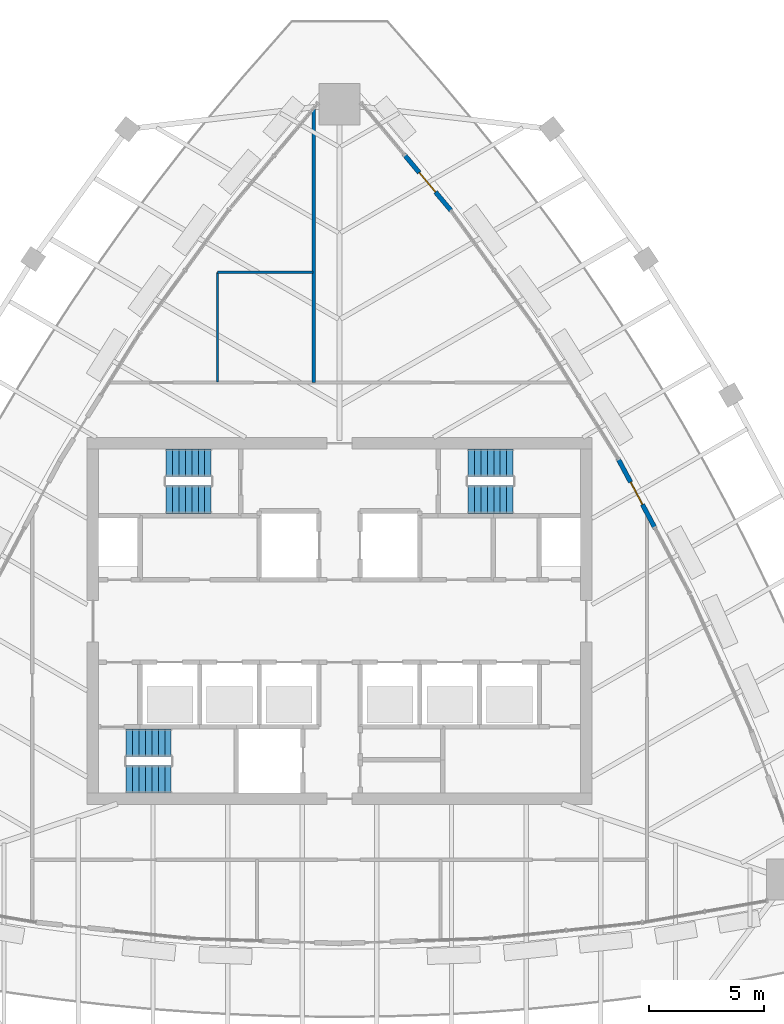
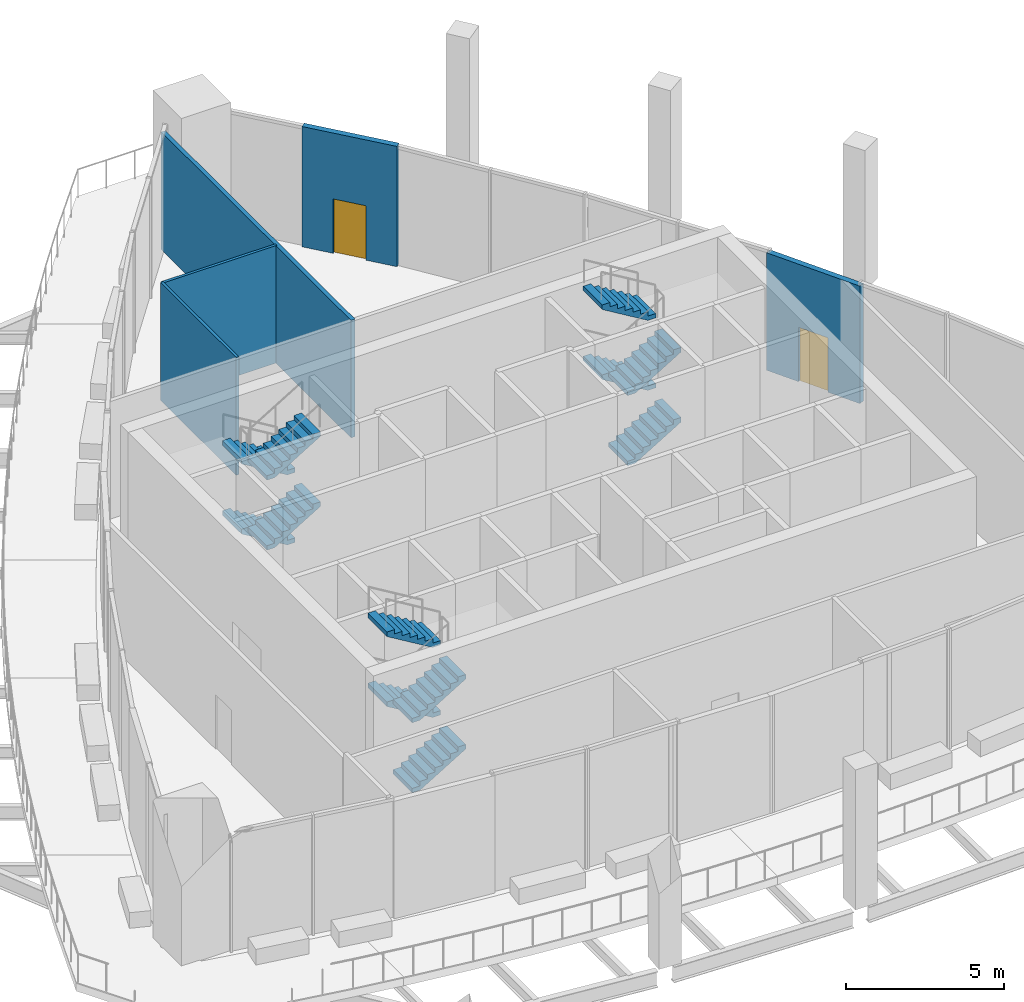
# One storey, part 10 of 14: 12 stair flights, 5 walls, 2 doors, 2 openings, 3 elements without a shape of their own.
"""IFC4 building model written with IfcOpenShell, lengths in metres."""

import ifcopenshell
import ifcopenshell.guid

model = None  # the IFC model being written
_history = None  # IfcOwnerHistory: only IFC2X3 demands one
_inside = {}  # id of a spatial element -> (the spatial element, [elements in it])
_under = {}  # id of a project, library or spatial element -> (it, [spatial elements below it])
_declared = {}  # id of a project -> (the project, [libraries it declares])
_typed = {}  # id of a type object -> (the type object, [elements of that type])
_made_of = {}  # id of a material, layer set ... -> (it, [elements and type objects made of it])


def new_model(schema):
    """Start an empty IFC model of exactly this schema.

    Asked for "IFC4X3", IfcOpenShell would pick the latest addendum, in which some entities
    have other attributes; the version numbers below select the first issue.
    IFC2X3 requires an IfcOwnerHistory on every rooted entity: one is made here for all.
    """
    global model, _history
    if schema == "IFC4X3":
        model = ifcopenshell.file(schema_version=(4, 3, 0, 0))
    else:
        model = ifcopenshell.file(schema=schema)
    _inside.clear()
    _under.clear()
    _declared.clear()
    _typed.clear()
    _made_of.clear()
    _history = None
    if model.schema == "IFC2X3":
        org = make("IfcOrganization", Name="unknown")
        user = make(
            "IfcPersonAndOrganization",
            ThePerson=make("IfcPerson", FamilyName="unknown"),
            TheOrganization=org,
        )
        app = make(
            "IfcApplication",
            ApplicationDeveloper=org,
            Version="unknown",
            ApplicationFullName="unknown",
            ApplicationIdentifier="unknown",
        )
        _history = make(
            "IfcOwnerHistory",
            OwningUser=user,
            OwningApplication=app,
            ChangeAction="ADDED",
            CreationDate=0,
        )
    return model


def make(cls, **values):
    """One entity of the class cls with the attributes given. An attribute that is None is left unset."""
    return model.create_entity(
        cls, **{name: value for name, value in values.items() if value is not None}
    )


def rooted(cls, **values):
    """An entity with a GlobalId (a new one), such as an element, a storey or a relation."""
    return make(cls, GlobalId=ifcopenshell.guid.new(), OwnerHistory=_history, **values)


def si_unit(unit_type, name, prefix=None):
    """IfcSIUnit, for example si_unit("LENGTHUNIT", "METRE", prefix="MILLI")."""
    return make("IfcSIUnit", UnitType=unit_type, Prefix=prefix, Name=name)


def assignment(units):
    """IfcUnitAssignment: the units of a project."""
    return None if units is None else make("IfcUnitAssignment", Units=units)


def point(xyz):
    """IfcCartesianPoint."""
    return None if xyz is None else make("IfcCartesianPoint", Coordinates=xyz)


def direction(xyz):
    """IfcDirection."""
    return None if xyz is None else make("IfcDirection", DirectionRatios=xyz)


def frame(location, z_axis=None, x_axis=None):
    """IfcAxis2Placement3D, a coordinate frame: its origin and axes. An axis left out is left unset."""
    return make(
        "IfcAxis2Placement3D",
        Location=point(location),
        Axis=direction(z_axis),
        RefDirection=direction(x_axis),
    )


def frame_2d(location, x_axis=None):
    """IfcAxis2Placement2D, a coordinate frame in the plane: its origin and x axis."""
    return make(
        "IfcAxis2Placement2D", Location=point(location), RefDirection=direction(x_axis)
    )


def origin():
    """The frame at (0, 0, 0) with its axes left unset."""
    return frame((0.0, 0.0, 0.0))


def place(relative_to, where):
    """IfcLocalPlacement: puts the frame where relative to a parent placement (None: the world)."""
    return make(
        "IfcLocalPlacement", PlacementRelTo=relative_to, RelativePlacement=where
    )


def context(
    kind, dimensions, precision=None, world=None, true_north=None, identifier=None
):
    """IfcGeometricRepresentationContext, for example the 3D "Model" context."""
    return make(
        "IfcGeometricRepresentationContext",
        ContextIdentifier=identifier,
        ContextType=kind,
        CoordinateSpaceDimension=dimensions,
        Precision=precision,
        WorldCoordinateSystem=world,
        TrueNorth=true_north,
    )


def subcontext(parent, identifier, kind, view, scale=None):
    """IfcGeometricRepresentationSubContext, for example "Body" below "Model"."""
    return make(
        "IfcGeometricRepresentationSubContext",
        ContextIdentifier=identifier,
        ContextType=kind,
        ParentContext=parent,
        TargetScale=scale,
        TargetView=view,
    )


def project(units=None, contexts=None):
    """IfcProject with its units and contexts."""
    return rooted(
        "IfcProject",
        Name="project",
        RepresentationContexts=contexts,
        UnitsInContext=assignment(units),
    )


def spatial(cls, under=None, at=None, **own):
    """A site, building, storey or space (cls), placed at a placement, below another one or the project."""
    s = rooted(cls, ObjectPlacement=at, **own)
    if under is not None:
        _under.setdefault(under.id(), (under, []))[1].append(s)
    return s


def polyline(points):
    """IfcPolyline through the points."""
    return make("IfcPolyline", Points=[point(p) for p in points])


def profile(cls, at=None, kind="AREA", **sizes):
    """A parametric profile (cls). Its sizes go by their IFC names, for example OverallWidth=200.0."""
    return make(cls, ProfileType=kind, Position=at, **sizes)


def rectangle(**sizes):
    """IfcRectangleProfileDef."""
    return profile("IfcRectangleProfileDef", **sizes)


def outline(outer, holes=None, kind="AREA"):
    """IfcArbitraryClosedProfileDef: a profile drawn as a closed curve; with holes, ...WithVoids."""
    if holes is None:
        return make("IfcArbitraryClosedProfileDef", ProfileType=kind, OuterCurve=outer)
    return make(
        "IfcArbitraryProfileDefWithVoids",
        ProfileType=kind,
        OuterCurve=outer,
        InnerCurves=holes,
    )


def extrude(swept, where, along, depth):
    """IfcExtrudedAreaSolid: the profile swept, set in the frame where, extruded along a direction by depth."""
    return make(
        "IfcExtrudedAreaSolid",
        SweptArea=swept,
        Position=where,
        ExtrudedDirection=direction(along),
        Depth=depth,
    )


def shape(context_of_items, identifier, shape_type, items):
    """IfcShapeRepresentation: the items that make up one representation, for example the "Body"."""
    return make(
        "IfcShapeRepresentation",
        ContextOfItems=context_of_items,
        RepresentationIdentifier=identifier,
        RepresentationType=shape_type,
        Items=items,
    )


def material(Name=None, Category=None):
    """IfcMaterial."""
    return make("IfcMaterial", Name=Name, Category=Category)


def layer(
    of_material, thickness, ventilated=None, Name=None, Category=None, Priority=None
):
    """IfcMaterialLayer: one layer of a wall or slab, of a material (None: an air gap)."""
    return make(
        "IfcMaterialLayer",
        Material=of_material,
        LayerThickness=thickness,
        IsVentilated=ventilated,
        Name=Name,
        Category=Category,
        Priority=Priority,
    )


def layer_set(layers, Name=None):
    """IfcMaterialLayerSet."""
    return make("IfcMaterialLayerSet", MaterialLayers=layers, LayerSetName=Name)


def made_of(thing, what):
    """Note that an element or type object is made of a material, layer set ...; save() writes the relation."""
    if what is not None:
        _made_of.setdefault(what.id(), (what, []))[1].append(thing)
    return thing


def type_object(cls, material=None, **own):
    """A type object (cls), such as IfcWallType, which elements share."""
    return made_of(rooted(cls, **own), material)


def element(
    cls,
    number,
    at=None,
    inside=None,
    cuts=None,
    type_object=None,
    material=None,
    context=None,
    identifier="Body",
    shape_type=None,
    held_by="IfcProductDefinitionShape",
    body=None,
    shapes=None,
    **own,
):
    """One element of the class cls, such as IfcWall. Its Tag is "e" and its number.

    at: its placement. inside: the storey or other place that contains it. cuts: it is an
    opening in that element (IfcRelVoidsElement). A single representation is given by context,
    identifier, shape_type and body (its items); several are given by shapes. held_by: the class
    of the entity that holds the representations. save() writes the other relations.
    """
    e = rooted(cls, Tag="e%d" % number, ObjectPlacement=at, **own)
    if body is not None:
        shapes = [shape(context, identifier, shape_type, body)]
    if shapes is not None:
        e.Representation = make(held_by, Representations=shapes)
    if inside is not None:
        _inside.setdefault(inside.id(), (inside, []))[1].append(e)
    if cuts is not None:
        rooted(
            "IfcRelVoidsElement", RelatingBuildingElement=cuts, RelatedOpeningElement=e
        )
    if type_object is not None:
        _typed.setdefault(type_object.id(), (type_object, []))[1].append(e)
    return made_of(e, material)


def fill(opening, filler):
    """IfcRelFillsElement: the door or window that sits in an opening."""
    return rooted(
        "IfcRelFillsElement",
        RelatingOpeningElement=opening,
        RelatedBuildingElement=filler,
    )


def aggregate(whole, parts):
    """IfcRelAggregates: a whole, such as a stair, and the parts it consists of."""
    return rooted("IfcRelAggregates", RelatingObject=whole, RelatedObjects=parts)


def save(model, path):
    """Write the relations noted so far, then the file.

    IfcRelAggregates (storeys below a building ...), IfcRelContainedInSpatialStructure (elements
    in a storey), IfcRelDefinesByType, IfcRelAssociatesMaterial and IfcRelDeclares: one each for
    every whole, place, type object, material and project.
    """
    for whole, parts in _under.values():
        aggregate(whole, parts)
    for where, things in _inside.values():
        rooted(
            "IfcRelContainedInSpatialStructure",
            RelatedElements=things,
            RelatingStructure=where,
        )
    for kind, things in _typed.values():
        rooted("IfcRelDefinesByType", RelatedObjects=things, RelatingType=kind)
    for what, things in _made_of.values():
        rooted("IfcRelAssociatesMaterial", RelatedObjects=things, RelatingMaterial=what)
    for by, libraries in _declared.values():
        rooted("IfcRelDeclares", RelatingContext=by, RelatedDefinitions=libraries)
    model.write(path)


model = new_model("IFC4")

# Units and contexts
model_context = context("Model", 3, precision=1e-05, world=origin(), true_north=direction((0.0, 1.0)))
body_context = subcontext(model_context, "Body", "Model", "MODEL_VIEW")
ifc_project = project(units=[si_unit("LENGTHUNIT", "METRE"), si_unit("AREAUNIT", "SQUARE_METRE"), si_unit("VOLUMEUNIT", "CUBIC_METRE"), si_unit("PLANEANGLEUNIT", "RADIAN"), si_unit("MASSUNIT", "GRAM", prefix="KILO")], contexts=[model_context])

# Site, building, storey
site_placement = place(None, origin())
site = spatial("IfcSite", under=ifc_project, at=site_placement, CompositionType="ELEMENT")
building_placement = place(site_placement, origin())
building = spatial("IfcBuilding", under=site, at=building_placement, Name="Sierra Prisma Convention Tower", CompositionType="ELEMENT")
storey_placement = place(building_placement, frame((0.0, 0.0, 339.39990234375)))
storey = spatial("IfcBuildingStorey", under=building, at=storey_placement, Name="L76", CompositionType="ELEMENT", Elevation=339.39990234375)

# Walls
ifc_material_1 = material(Name="Gypsum board partition", Category="gypsum")
ifc_layer_1 = layer(ifc_material_1, 0.10009765625)
ifc_layer_set_1 = layer_set([ifc_layer_1], Name="Bathroom partition 100")
wall_type_1 = type_object("IfcWallType", Name="Bathroom partition 100", PredefinedType="PARTITIONING", material=ifc_layer_set_1)
wall_1_placement = place(storey_placement, frame((-5.32470703125, 10.429931640625, 0.0), z_axis=(0.0, 0.0, 1.0), x_axis=(0.0, 1.0, 0.0)))
element("IfcWall", 1, at=wall_1_placement, inside=storey, type_object=wall_type_1, Name="Partition L76 bath 1", PredefinedType="PARTITIONING", context=body_context, shape_type="SweptSolid", body=[
    extrude(rectangle(XDim=4.77001953125, YDim=0.10009765625, at=frame_2d((2.385009765625, 0.0))), origin(), (0.0, 0.0, 1.0), 4.547119140625),
])
wall_2_placement = place(storey_placement, frame((-5.32470703125, 15.199951171875, 0.0), z_axis=(0.0, 0.0, 1.0), x_axis=(1.0, 0.0, 0.0)))
element("IfcWall", 2, at=wall_2_placement, inside=storey, type_object=wall_type_1, Name="Partition L76 bath 2", PredefinedType="PARTITIONING", context=body_context, shape_type="SweptSolid", body=[
    extrude(rectangle(XDim=4.169921875, YDim=0.10009765625, at=frame_2d((2.0849609375, 0.0))), origin(), (0.0, 0.0, 1.0), 4.533203125),
])
ifc_material_2 = material(Name="Gypsum board partition", Category="gypsum")
ifc_layer_2 = layer(ifc_material_2, 0.14990234375)
ifc_layer_set_2 = layer_set([ifc_layer_2], Name="Party wall 150 gypsum")
wall_type_2 = type_object("IfcWallType", Name="Party wall 150 gypsum", PredefinedType="PARTITIONING", material=ifc_layer_set_2)
wall_3_placement = place(storey_placement, frame((-1.124755859375, 10.39990234375, 0.0), z_axis=(0.0, 0.0, 1.0), x_axis=(0.0, 1.0, 0.0)))
element("IfcWall", 3, at=wall_3_placement, inside=storey, type_object=wall_type_2, Name="Partition L76 party 3", PredefinedType="PARTITIONING", context=body_context, shape_type="SweptSolid", body=[
    extrude(rectangle(XDim=11.98876953125, YDim=0.14990234375, at=frame_2d((5.994384765625, 0.0))), origin(), (0.0, 0.0, 1.0), 4.533203125),
])

# Wall, opening, door
ifc_material_3 = material(Name="Precast concrete C40/50", Category="concrete")
ifc_layer_3 = layer(ifc_material_3, 0.199951171875)
ifc_layer_set_3 = layer_set([ifc_layer_3], Name="Terrace door pier")
wall_type_3 = type_object("IfcWallType", Name="Terrace door pier", PredefinedType="SOLIDWALL", material=ifc_layer_set_3)
wall_4_placement = place(storey_placement, frame((13.760498046875, 4.03125, 0.0), z_axis=(0.0, 0.0, 1.0), x_axis=(-0.469681595123, 0.882835884637, 0.0)))
wall_4 = element("IfcWall", 4, at=wall_4_placement, inside=storey, type_object=wall_type_3, Name="Deck door bay L76", PredefinedType="SOLIDWALL", context=body_context, shape_type="SweptSolid", body=[
    extrude(rectangle(XDim=3.481201171875, YDim=0.199951171875, at=frame_2d((1.74072265625, 0.0))), origin(), (0.0, 0.0, 1.0), 4.533203125),
])
opening_1_placement = place(wall_4_placement, frame((1.1904296875, 0.0, 0.0)))
opening_1 = element("IfcOpeningElement", 5, at=opening_1_placement, cuts=wall_4, Name="Opening L76-D041", PredefinedType="OPENING", context=body_context, shape_type="SweptSolid", body=[
    extrude(rectangle(XDim=1.10009765625, YDim=2.10009765625, at=frame_2d((0.550048828125, 1.050048828125))), frame((0.0, 0.10009765625, 0.0), z_axis=(0.0, -1.0, 0.0), x_axis=(1.0, 0.0, 0.0)), (0.0, 0.0, 1.0), 0.199951171875),
])
ifc_material_4 = material(Name="Bronze anodised aluminium and glass", Category="aluminium")
door_type = type_object("IfcDoorType", Name="Terrace door 1100 x 2100", OperationType="SINGLE_SWING_LEFT", PredefinedType="DOOR", material=ifc_material_4)
door_1_placement = place(opening_1_placement, origin())
door_1 = element("IfcDoor", 6, at=door_1_placement, inside=storey, type_object=door_type, Name="Deck door L76", OperationType="SINGLE_SWING_RIGHT", OverallHeight=2.10009765625, OverallWidth=1.10009765625, PredefinedType="DOOR", context=body_context, shape_type="SweptSolid", body=[
    extrude(rectangle(XDim=1.10009765625, YDim=2.10009765625, at=frame_2d((0.550048828125, 1.050048828125))), frame((0.0, 0.02490234375, 0.0), z_axis=(0.0, -1.0, 0.0), x_axis=(1.0, 0.0, 0.0)), (0.0, 0.0, 1.0), 0.050048828125),
])
fill(opening_1, door_1)

wall_5_placement = place(storey_placement, frame((4.8525390625, 17.900634765625, 0.0), z_axis=(0.0, 0.0, 1.0), x_axis=(-0.641685057582, 0.766968243721, 0.0)))
wall_5 = element("IfcWall", 7, at=wall_5_placement, inside=storey, type_object=wall_type_3, Name="Deck door bay L76", PredefinedType="SOLIDWALL", context=body_context, shape_type="SweptSolid", body=[
    extrude(rectangle(XDim=3.19775390625, YDim=0.199951171875, at=frame_2d((1.598876953125, 0.0))), origin(), (0.0, 0.0, 1.0), 4.64013671875),
])
opening_2_placement = place(wall_5_placement, frame((1.048828125, 0.0, 0.0)))
opening_2 = element("IfcOpeningElement", 8, at=opening_2_placement, cuts=wall_5, Name="Opening L76-D042", PredefinedType="OPENING", context=body_context, shape_type="SweptSolid", body=[
    extrude(rectangle(XDim=1.10009765625, YDim=2.10009765625, at=frame_2d((0.550048828125, 1.050048828125))), frame((0.0, 0.10009765625, 0.0), z_axis=(0.0, -1.0, 0.0), x_axis=(1.0, 0.0, 0.0)), (0.0, 0.0, 1.0), 0.199951171875),
])
door_2_placement = place(opening_2_placement, origin())
door_2 = element("IfcDoor", 9, at=door_2_placement, inside=storey, type_object=door_type, Name="Deck door L76", OperationType="SINGLE_SWING_LEFT", OverallHeight=2.10009765625, OverallWidth=1.10009765625, PredefinedType="DOOR", context=body_context, shape_type="SweptSolid", body=[
    extrude(rectangle(XDim=1.10009765625, YDim=2.10009765625, at=frame_2d((0.550048828125, 1.050048828125))), frame((0.0, 0.02490234375, 0.0), z_axis=(0.0, -1.0, 0.0), x_axis=(1.0, 0.0, 0.0)), (0.0, 0.0, 1.0), 0.050048828125),
])
fill(opening_2, door_2)

# Stair, stair flights
ifc_material_5 = material(Name="Concrete C30/37", Category="concrete")
stair_type = type_object("IfcStairType", Name="Stair dog-leg 1200 RC", PredefinedType="HALF_TURN_STAIR", material=ifc_material_5)
stair_1_placement = place(storey_placement, origin())
stair_1 = element("IfcStair", 10, at=stair_1_placement, inside=storey, type_object=stair_type, Name="L76 S1", PredefinedType="HALF_TURN_STAIR")
ifc_material_6 = material(Name="Concrete C30/37", Category="concrete")
stair_flight_type = type_object("IfcStairFlightType", Name="Stair flight RC 1200", PredefinedType="STRAIGHT", material=ifc_material_6)
stair_flight_1_placement = place(storey_placement, frame((-9.300048828125, -6.89990234375, 0.0), z_axis=(0.0, 0.0, 1.0), x_axis=(1.0, 0.0, 0.0)))
stair_flight_1 = element("IfcStairFlight", 11, at=stair_flight_1_placement, type_object=stair_flight_type, Name="S1 flight 1", NumberOfRisers=8, NumberOfTreads=7, PredefinedType="STRAIGHT", RiserHeight=0.16875, TreadLength=0.28, context=body_context, shape_type="SweptSolid", body=[
    extrude(outline(polyline([(0.0, 0.0), (0.0, 0.168701171875), (0.280029296875, 0.168701171875), (0.280029296875, 0.33740234375), (0.56005859375, 0.33740234375), (0.56005859375, 0.50634765625), (0.840087890625, 0.50634765625), (0.840087890625, 0.675048828125), (1.1201171875, 0.675048828125), (1.1201171875, 0.84375), (1.39990234375, 0.84375), (1.39990234375, 1.012451171875), (1.679931640625, 1.012451171875), (1.679931640625, 1.18115234375), (1.9599609375, 1.18115234375), (1.9599609375, 1.35009765625), (1.9599609375, 1.00634765625), (0.29052734375, 0.0), (0.0, 0.0)])), frame((0.0, 0.60009765625, 0.0), z_axis=(0.0, -1.0, 0.0), x_axis=(1.0, 0.0, 0.0)), (0.0, 0.0, 1.0), 1.199951171875),
])
stair_flight_2_placement = place(storey_placement, frame((-7.340087890625, -5.300048828125, 1.35009765625), z_axis=(0.0, 0.0, 1.0), x_axis=(-1.0, 0.0, 0.0)))
stair_flight_2 = element("IfcStairFlight", 12, at=stair_flight_2_placement, type_object=stair_flight_type, Name="S1 flight 2", NumberOfRisers=8, NumberOfTreads=7, PredefinedType="STRAIGHT", RiserHeight=0.16875, TreadLength=0.28, context=body_context, shape_type="SweptSolid", body=[
    extrude(outline(polyline([(0.0, 0.0), (0.0, 0.168701171875), (0.280029296875, 0.168701171875), (0.280029296875, 0.33740234375), (0.56005859375, 0.33740234375), (0.56005859375, 0.50634765625), (0.840087890625, 0.50634765625), (0.840087890625, 0.675048828125), (1.1201171875, 0.675048828125), (1.1201171875, 0.84375), (1.39990234375, 0.84375), (1.39990234375, 1.012451171875), (1.679931640625, 1.012451171875), (1.679931640625, 1.18115234375), (1.9599609375, 1.18115234375), (1.9599609375, 1.35009765625), (1.9599609375, 1.00634765625), (0.29052734375, 0.0), (0.0, 0.0)])), frame((0.0, 0.60009765625, 0.0), z_axis=(0.0, -1.0, 0.0), x_axis=(1.0, 0.0, 0.0)), (0.0, 0.0, 1.0), 1.199951171875),
])
stair_flight_3_placement = place(storey_placement, frame((-9.300048828125, -6.89990234375, 2.7001953125), z_axis=(0.0, 0.0, 1.0), x_axis=(1.0, 0.0, 0.0)))
stair_flight_3 = element("IfcStairFlight", 13, at=stair_flight_3_placement, type_object=stair_flight_type, Name="S1 flight 3", NumberOfRisers=8, NumberOfTreads=7, PredefinedType="STRAIGHT", RiserHeight=0.16875, TreadLength=0.28, context=body_context, shape_type="SweptSolid", body=[
    extrude(outline(polyline([(0.0, 0.0), (0.0, 0.168701171875), (0.280029296875, 0.168701171875), (0.280029296875, 0.33740234375), (0.56005859375, 0.33740234375), (0.56005859375, 0.50634765625), (0.840087890625, 0.50634765625), (0.840087890625, 0.675048828125), (1.1201171875, 0.675048828125), (1.1201171875, 0.84375), (1.39990234375, 0.84375), (1.39990234375, 1.012451171875), (1.679931640625, 1.012451171875), (1.679931640625, 1.18115234375), (1.9599609375, 1.18115234375), (1.9599609375, 1.35009765625), (1.9599609375, 1.00634765625), (0.29052734375, 0.0), (0.0, 0.0)])), frame((0.0, 0.60009765625, 0.0), z_axis=(0.0, -1.0, 0.0), x_axis=(1.0, 0.0, 0.0)), (0.0, 0.0, 1.0), 1.199951171875),
])
stair_flight_4_placement = place(storey_placement, frame((-7.340087890625, -5.300048828125, 4.050048828125), z_axis=(0.0, 0.0, 1.0), x_axis=(-1.0, 0.0, 0.0)))
stair_flight_4 = element("IfcStairFlight", 14, at=stair_flight_4_placement, type_object=stair_flight_type, Name="S1 flight 4", NumberOfRisers=8, NumberOfTreads=7, PredefinedType="STRAIGHT", RiserHeight=0.16875, TreadLength=0.28, context=body_context, shape_type="SweptSolid", body=[
    extrude(outline(polyline([(0.0, 0.0), (0.0, 0.168701171875), (0.280029296875, 0.168701171875), (0.280029296875, 0.33740234375), (0.56005859375, 0.33740234375), (0.56005859375, 0.50634765625), (0.840087890625, 0.50634765625), (0.840087890625, 0.675048828125), (1.1201171875, 0.675048828125), (1.1201171875, 0.84375), (1.39990234375, 0.84375), (1.39990234375, 1.012451171875), (1.679931640625, 1.012451171875), (1.679931640625, 1.18115234375), (1.9599609375, 1.18115234375), (1.9599609375, 1.35009765625), (1.9599609375, 1.00634765625), (0.29052734375, 0.0), (0.0, 0.0)])), frame((0.0, 0.60009765625, 0.0), z_axis=(0.0, -1.0, 0.0), x_axis=(1.0, 0.0, 0.0)), (0.0, 0.0, 1.0), 1.199951171875),
])
aggregate(stair_1, [stair_flight_1, stair_flight_2, stair_flight_3, stair_flight_4])

stair_2_placement = place(storey_placement, origin())
stair_2 = element("IfcStair", 15, at=stair_2_placement, inside=storey, type_object=stair_type, Name="L76 S3", PredefinedType="HALF_TURN_STAIR")
stair_flight_5_placement = place(storey_placement, frame((-5.60009765625, 6.89990234375, 0.0), z_axis=(0.0, 0.0, 1.0), x_axis=(-1.0, 0.0, 0.0)))
stair_flight_5 = element("IfcStairFlight", 16, at=stair_flight_5_placement, type_object=stair_flight_type, Name="S3 flight 1", NumberOfRisers=8, NumberOfTreads=7, PredefinedType="STRAIGHT", RiserHeight=0.16875, TreadLength=0.28, context=body_context, shape_type="SweptSolid", body=[
    extrude(outline(polyline([(0.0, 0.0), (0.0, 0.168701171875), (0.280029296875, 0.168701171875), (0.280029296875, 0.33740234375), (0.56005859375, 0.33740234375), (0.56005859375, 0.50634765625), (0.840087890625, 0.50634765625), (0.840087890625, 0.675048828125), (1.1201171875, 0.675048828125), (1.1201171875, 0.84375), (1.39990234375, 0.84375), (1.39990234375, 1.012451171875), (1.679931640625, 1.012451171875), (1.679931640625, 1.18115234375), (1.9599609375, 1.18115234375), (1.9599609375, 1.35009765625), (1.9599609375, 1.00634765625), (0.29052734375, 0.0), (0.0, 0.0)])), frame((0.0, 0.60009765625, 0.0), z_axis=(0.0, -1.0, 0.0), x_axis=(1.0, 0.0, 0.0)), (0.0, 0.0, 1.0), 1.199951171875),
])
stair_flight_6_placement = place(storey_placement, frame((-7.56005859375, 5.300048828125, 1.35009765625), z_axis=(0.0, 0.0, 1.0), x_axis=(1.0, 0.0, 0.0)))
stair_flight_6 = element("IfcStairFlight", 17, at=stair_flight_6_placement, type_object=stair_flight_type, Name="S3 flight 2", NumberOfRisers=8, NumberOfTreads=7, PredefinedType="STRAIGHT", RiserHeight=0.16875, TreadLength=0.28, context=body_context, shape_type="SweptSolid", body=[
    extrude(outline(polyline([(0.0, 0.0), (0.0, 0.168701171875), (0.280029296875, 0.168701171875), (0.280029296875, 0.33740234375), (0.56005859375, 0.33740234375), (0.56005859375, 0.50634765625), (0.840087890625, 0.50634765625), (0.840087890625, 0.675048828125), (1.1201171875, 0.675048828125), (1.1201171875, 0.84375), (1.39990234375, 0.84375), (1.39990234375, 1.012451171875), (1.679931640625, 1.012451171875), (1.679931640625, 1.18115234375), (1.9599609375, 1.18115234375), (1.9599609375, 1.35009765625), (1.9599609375, 1.00634765625), (0.29052734375, 0.0), (0.0, 0.0)])), frame((0.0, 0.60009765625, 0.0), z_axis=(0.0, -1.0, 0.0), x_axis=(1.0, 0.0, 0.0)), (0.0, 0.0, 1.0), 1.199951171875),
])
stair_flight_7_placement = place(storey_placement, frame((-5.60009765625, 6.89990234375, 2.7001953125), z_axis=(0.0, 0.0, 1.0), x_axis=(-1.0, 0.0, 0.0)))
stair_flight_7 = element("IfcStairFlight", 18, at=stair_flight_7_placement, type_object=stair_flight_type, Name="S3 flight 3", NumberOfRisers=8, NumberOfTreads=7, PredefinedType="STRAIGHT", RiserHeight=0.16875, TreadLength=0.28, context=body_context, shape_type="SweptSolid", body=[
    extrude(outline(polyline([(0.0, 0.0), (0.0, 0.168701171875), (0.280029296875, 0.168701171875), (0.280029296875, 0.33740234375), (0.56005859375, 0.33740234375), (0.56005859375, 0.50634765625), (0.840087890625, 0.50634765625), (0.840087890625, 0.675048828125), (1.1201171875, 0.675048828125), (1.1201171875, 0.84375), (1.39990234375, 0.84375), (1.39990234375, 1.012451171875), (1.679931640625, 1.012451171875), (1.679931640625, 1.18115234375), (1.9599609375, 1.18115234375), (1.9599609375, 1.35009765625), (1.9599609375, 1.00634765625), (0.29052734375, 0.0), (0.0, 0.0)])), frame((0.0, 0.60009765625, 0.0), z_axis=(0.0, -1.0, 0.0), x_axis=(1.0, 0.0, 0.0)), (0.0, 0.0, 1.0), 1.199951171875),
])
stair_flight_8_placement = place(storey_placement, frame((-7.56005859375, 5.300048828125, 4.050048828125), z_axis=(0.0, 0.0, 1.0), x_axis=(1.0, 0.0, 0.0)))
stair_flight_8 = element("IfcStairFlight", 19, at=stair_flight_8_placement, type_object=stair_flight_type, Name="S3 flight 4", NumberOfRisers=8, NumberOfTreads=7, PredefinedType="STRAIGHT", RiserHeight=0.16875, TreadLength=0.28, context=body_context, shape_type="SweptSolid", body=[
    extrude(outline(polyline([(0.0, 0.0), (0.0, 0.168701171875), (0.280029296875, 0.168701171875), (0.280029296875, 0.33740234375), (0.56005859375, 0.33740234375), (0.56005859375, 0.50634765625), (0.840087890625, 0.50634765625), (0.840087890625, 0.675048828125), (1.1201171875, 0.675048828125), (1.1201171875, 0.84375), (1.39990234375, 0.84375), (1.39990234375, 1.012451171875), (1.679931640625, 1.012451171875), (1.679931640625, 1.18115234375), (1.9599609375, 1.18115234375), (1.9599609375, 1.35009765625), (1.9599609375, 1.00634765625), (0.29052734375, 0.0), (0.0, 0.0)])), frame((0.0, 0.60009765625, 0.0), z_axis=(0.0, -1.0, 0.0), x_axis=(1.0, 0.0, 0.0)), (0.0, 0.0, 1.0), 1.199951171875),
])
aggregate(stair_2, [stair_flight_5, stair_flight_6, stair_flight_7, stair_flight_8])

stair_3_placement = place(storey_placement, origin())
stair_3 = element("IfcStair", 20, at=stair_3_placement, inside=storey, type_object=stair_type, Name="L76 S4", PredefinedType="HALF_TURN_STAIR")
stair_flight_9_placement = place(storey_placement, frame((5.60009765625, 5.300048828125, 0.0), z_axis=(0.0, 0.0, 1.0), x_axis=(1.0, 0.0, 0.0)))
stair_flight_9 = element("IfcStairFlight", 21, at=stair_flight_9_placement, type_object=stair_flight_type, Name="S4 flight 1", NumberOfRisers=8, NumberOfTreads=7, PredefinedType="STRAIGHT", RiserHeight=0.16875, TreadLength=0.28, context=body_context, shape_type="SweptSolid", body=[
    extrude(outline(polyline([(0.0, 0.0), (0.0, 0.168701171875), (0.280029296875, 0.168701171875), (0.280029296875, 0.33740234375), (0.56005859375, 0.33740234375), (0.56005859375, 0.50634765625), (0.840087890625, 0.50634765625), (0.840087890625, 0.675048828125), (1.1201171875, 0.675048828125), (1.1201171875, 0.84375), (1.39990234375, 0.84375), (1.39990234375, 1.012451171875), (1.679931640625, 1.012451171875), (1.679931640625, 1.18115234375), (1.9599609375, 1.18115234375), (1.9599609375, 1.35009765625), (1.9599609375, 1.00634765625), (0.29052734375, 0.0), (0.0, 0.0)])), frame((0.0, 0.60009765625, 0.0), z_axis=(0.0, -1.0, 0.0), x_axis=(1.0, 0.0, 0.0)), (0.0, 0.0, 1.0), 1.199951171875),
])
stair_flight_10_placement = place(storey_placement, frame((7.56005859375, 6.89990234375, 1.35009765625), z_axis=(0.0, 0.0, 1.0), x_axis=(-1.0, 0.0, 0.0)))
stair_flight_10 = element("IfcStairFlight", 22, at=stair_flight_10_placement, type_object=stair_flight_type, Name="S4 flight 2", NumberOfRisers=8, NumberOfTreads=7, PredefinedType="STRAIGHT", RiserHeight=0.16875, TreadLength=0.28, context=body_context, shape_type="SweptSolid", body=[
    extrude(outline(polyline([(0.0, 0.0), (0.0, 0.168701171875), (0.280029296875, 0.168701171875), (0.280029296875, 0.33740234375), (0.56005859375, 0.33740234375), (0.56005859375, 0.50634765625), (0.840087890625, 0.50634765625), (0.840087890625, 0.675048828125), (1.1201171875, 0.675048828125), (1.1201171875, 0.84375), (1.39990234375, 0.84375), (1.39990234375, 1.012451171875), (1.679931640625, 1.012451171875), (1.679931640625, 1.18115234375), (1.9599609375, 1.18115234375), (1.9599609375, 1.35009765625), (1.9599609375, 1.00634765625), (0.29052734375, 0.0), (0.0, 0.0)])), frame((0.0, 0.60009765625, 0.0), z_axis=(0.0, -1.0, 0.0), x_axis=(1.0, 0.0, 0.0)), (0.0, 0.0, 1.0), 1.199951171875),
])
stair_flight_11_placement = place(storey_placement, frame((5.60009765625, 5.300048828125, 2.7001953125), z_axis=(0.0, 0.0, 1.0), x_axis=(1.0, 0.0, 0.0)))
stair_flight_11 = element("IfcStairFlight", 23, at=stair_flight_11_placement, type_object=stair_flight_type, Name="S4 flight 3", NumberOfRisers=8, NumberOfTreads=7, PredefinedType="STRAIGHT", RiserHeight=0.16875, TreadLength=0.28, context=body_context, shape_type="SweptSolid", body=[
    extrude(outline(polyline([(0.0, 0.0), (0.0, 0.168701171875), (0.280029296875, 0.168701171875), (0.280029296875, 0.33740234375), (0.56005859375, 0.33740234375), (0.56005859375, 0.50634765625), (0.840087890625, 0.50634765625), (0.840087890625, 0.675048828125), (1.1201171875, 0.675048828125), (1.1201171875, 0.84375), (1.39990234375, 0.84375), (1.39990234375, 1.012451171875), (1.679931640625, 1.012451171875), (1.679931640625, 1.18115234375), (1.9599609375, 1.18115234375), (1.9599609375, 1.35009765625), (1.9599609375, 1.00634765625), (0.29052734375, 0.0), (0.0, 0.0)])), frame((0.0, 0.60009765625, 0.0), z_axis=(0.0, -1.0, 0.0), x_axis=(1.0, 0.0, 0.0)), (0.0, 0.0, 1.0), 1.199951171875),
])
stair_flight_12_placement = place(storey_placement, frame((7.56005859375, 6.89990234375, 4.050048828125), z_axis=(0.0, 0.0, 1.0), x_axis=(-1.0, 0.0, 0.0)))
stair_flight_12 = element("IfcStairFlight", 24, at=stair_flight_12_placement, type_object=stair_flight_type, Name="S4 flight 4", NumberOfRisers=8, NumberOfTreads=7, PredefinedType="STRAIGHT", RiserHeight=0.16875, TreadLength=0.28, context=body_context, shape_type="SweptSolid", body=[
    extrude(outline(polyline([(0.0, 0.0), (0.0, 0.168701171875), (0.280029296875, 0.168701171875), (0.280029296875, 0.33740234375), (0.56005859375, 0.33740234375), (0.56005859375, 0.50634765625), (0.840087890625, 0.50634765625), (0.840087890625, 0.675048828125), (1.1201171875, 0.675048828125), (1.1201171875, 0.84375), (1.39990234375, 0.84375), (1.39990234375, 1.012451171875), (1.679931640625, 1.012451171875), (1.679931640625, 1.18115234375), (1.9599609375, 1.18115234375), (1.9599609375, 1.35009765625), (1.9599609375, 1.00634765625), (0.29052734375, 0.0), (0.0, 0.0)])), frame((0.0, 0.60009765625, 0.0), z_axis=(0.0, -1.0, 0.0), x_axis=(1.0, 0.0, 0.0)), (0.0, 0.0, 1.0), 1.199951171875),
])
aggregate(stair_3, [stair_flight_9, stair_flight_10, stair_flight_11, stair_flight_12])

save(model, "model.ifc")
